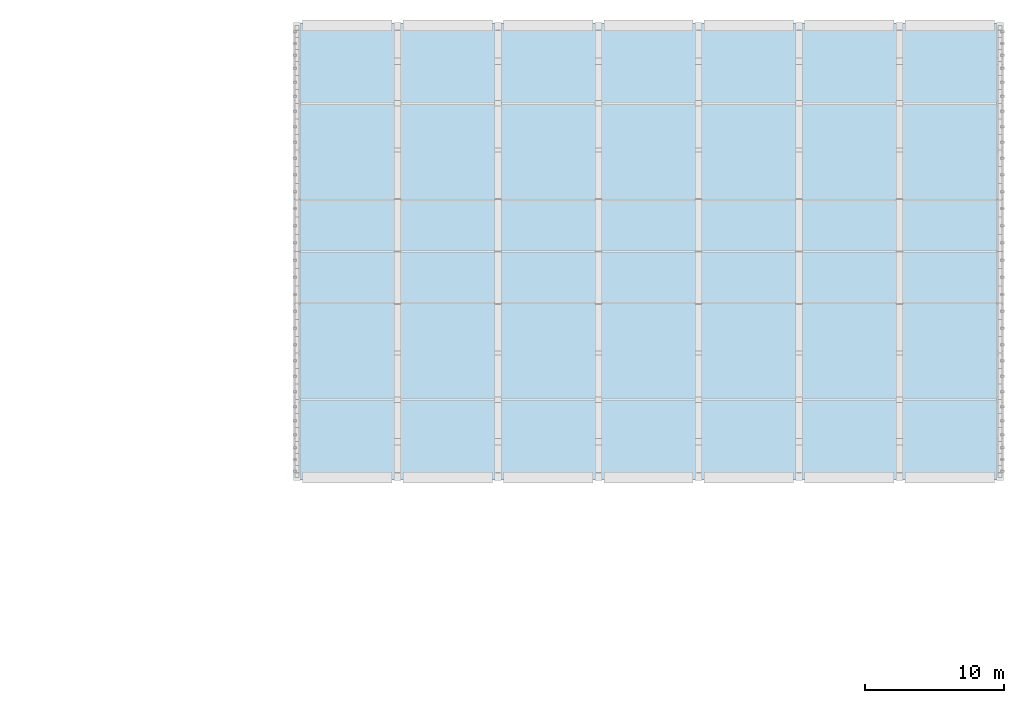
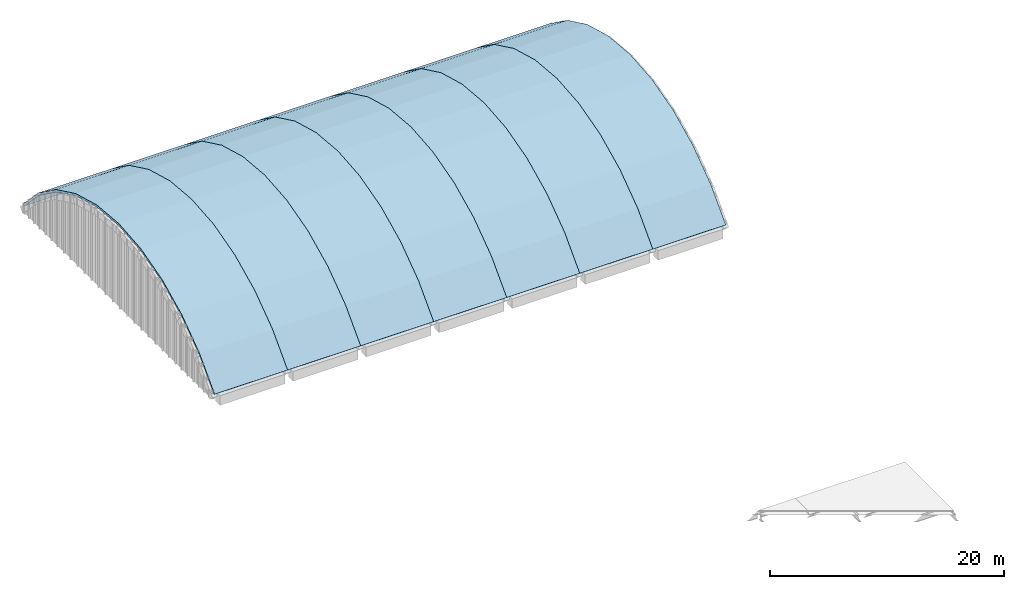
# One storey, part 13 of 16: 7 roofs.
"""IFC4 building model written with IfcOpenShell, lengths in metres."""

from ifc_helpers import new_model, si_unit, direction, frame, origin, place, context, subcontext, project, spatial, polyline, outline, extrude, material, type_object, element, save


model = new_model("IFC4")

# Units and contexts
model_context = context("Model", 3, precision=1e-05, world=origin(), true_north=direction((0.0, 1.0)))
body_context = subcontext(model_context, "Body", "Model", "MODEL_VIEW")
ifc_project = project(units=[si_unit("LENGTHUNIT", "METRE"), si_unit("AREAUNIT", "SQUARE_METRE"), si_unit("VOLUMEUNIT", "CUBIC_METRE"), si_unit("PLANEANGLEUNIT", "RADIAN"), si_unit("MASSUNIT", "GRAM", prefix="KILO")], contexts=[model_context])

# Site, building, storey
site_placement = place(None, origin())
site = spatial("IfcSite", under=ifc_project, at=site_placement, CompositionType="ELEMENT")
building_placement = place(site_placement, origin())
building = spatial("IfcBuilding", under=site, at=building_placement, Name="Sardonyx Promenade Sports Hall", CompositionType="ELEMENT")
storey_placement = place(building_placement, frame((0.0, 0.0, 24.800048828125)))
storey = spatial("IfcBuildingStorey", under=building, at=storey_placement, Name="RF", CompositionType="ELEMENT", Elevation=24.800048828125)

# Roofs
ifc_material = material(Name="Concrete C40/50", Category="concrete")
roof_type = type_object("IfcRoofType", Name="Roof_Barrel_Main_220", PredefinedType="BARREL_ROOF", material=ifc_material)
for number, where, z_axis, x_axis, name in (
    (1, (28.8, 88.2, -4.000049), (1.0, 0.0, 0.0), (0.0, 1.0, 0.0), "Exposed concrete barrel-vault shell BV01 bay 1"),
    (2, (36.0, 88.2, -4.000049), (1.0, 0.0, 0.0), (0.0, 1.0, 0.0), "Exposed concrete barrel-vault shell BV01 bay 2"),
    (3, (43.2, 88.2, -4.000049), (1.0, 0.0, 0.0), (0.0, 1.0, 0.0), "Exposed concrete barrel-vault shell BV01 bay 3"),
    (4, (50.4, 88.2, -4.000049), (1.0, 0.0, 0.0), (0.0, 1.0, 0.0), "Exposed concrete barrel-vault shell BV01 bay 4"),
    (5, (57.6, 88.2, -4.000049), (1.0, 0.0, 0.0), (0.0, 1.0, 0.0), "Exposed concrete barrel-vault shell BV01 bay 5"),
    (6, (64.8, 88.2, -4.000049), (1.0, 0.0, 0.0), (0.0, 1.0, 0.0), "Exposed concrete barrel-vault shell BV01 bay 6"),
    (7, (72.0, 88.2, -4.000049), (1.0, 0.0, 0.0), (0.0, 1.0, 0.0), "Exposed concrete barrel-vault shell BV01 bay 7"),
):
    element("IfcRoof", number, at=place(storey_placement, frame(where, z_axis=z_axis, x_axis=x_axis)), inside=storey, type_object=roof_type, material=ifc_material, Name=name, PredefinedType="BARREL_ROOF", context=body_context, shape_type="SweptSolid", body=[
        extrude(outline(polyline([(-16.2, 0.0), (-13.632627, 2.68453), (-10.627237, 4.867588), (-7.280394, 6.479031), (-3.699632, 7.467084), (0.0, 7.8), (3.699632, 7.467084), (7.280394, 6.479031), (10.627237, 4.867588), (13.632627, 2.68453), (16.2, 0.0), (16.358994, 0.152055), (13.777353, 2.850223), (10.740058, 5.056457), (7.357684, 6.685007), (3.738908, 7.68355), (0.0, 8.02), (-3.738908, 7.68355), (-7.357684, 6.685007), (-10.740058, 5.056457), (-13.777353, 2.850223), (-16.358994, 0.152055), (-16.2, 0.0)])), origin(), (0.0, 0.0, 1.0), 7.2),
    ])

save(model, "model.ifc")
